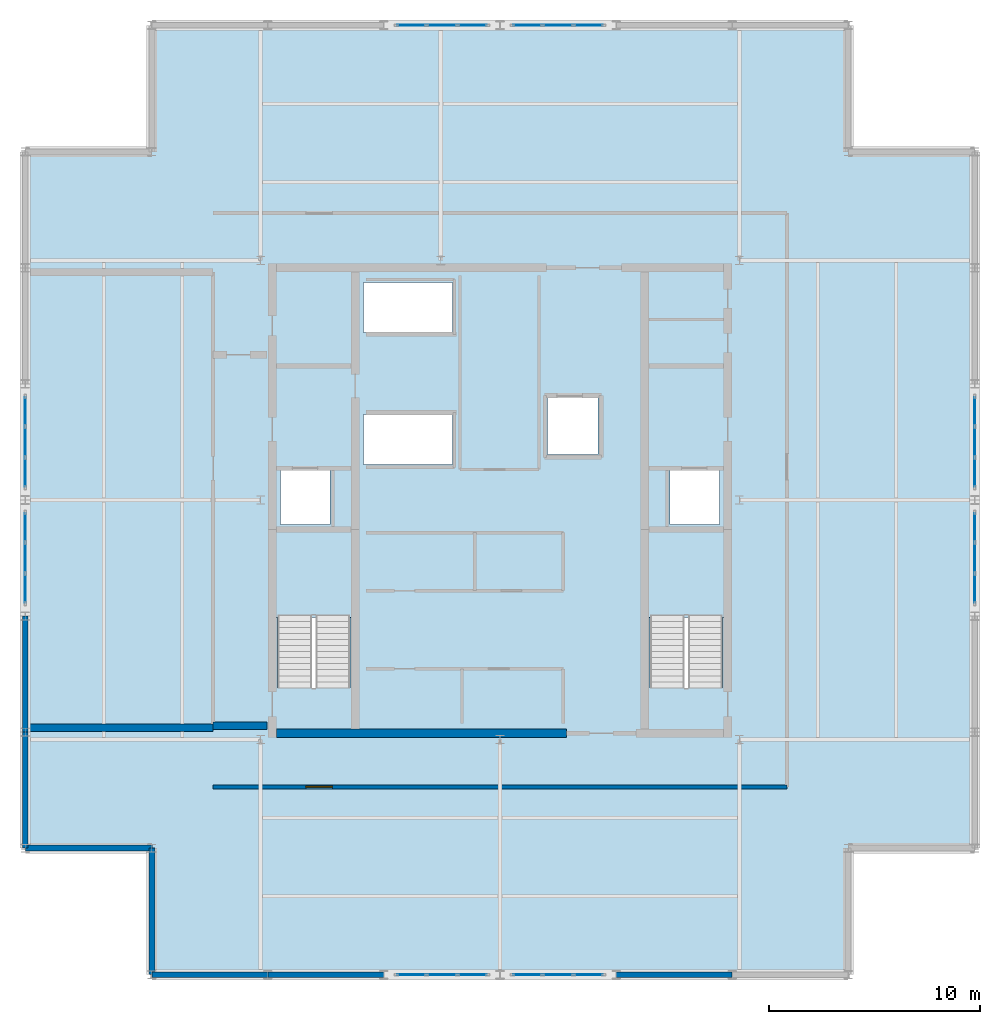
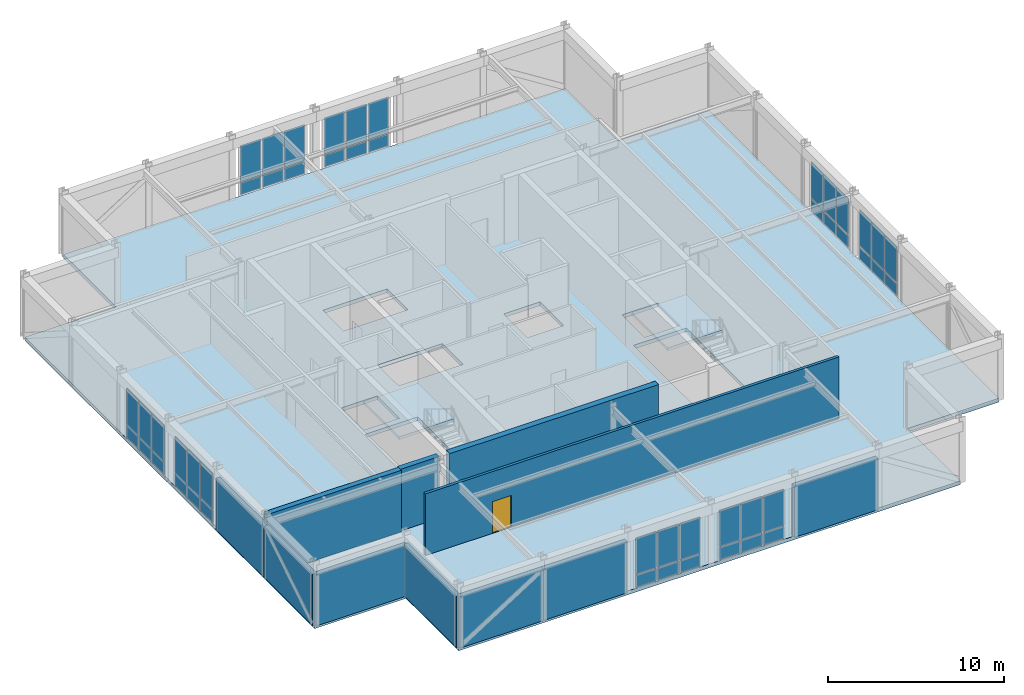
# One storey, part 6 of 9: 48 plates, 11 walls, 3 slabs, 1 door, 1 opening, 10 elements without a shape of their own.
"""IFC4 building model written with IfcOpenShell, lengths in metres."""

import ifcopenshell
import ifcopenshell.guid

model = None  # the IFC model being written
_history = None  # IfcOwnerHistory: only IFC2X3 demands one
_inside = {}  # id of a spatial element -> (the spatial element, [elements in it])
_under = {}  # id of a project, library or spatial element -> (it, [spatial elements below it])
_declared = {}  # id of a project -> (the project, [libraries it declares])
_typed = {}  # id of a type object -> (the type object, [elements of that type])
_made_of = {}  # id of a material, layer set ... -> (it, [elements and type objects made of it])


def new_model(schema):
    """Start an empty IFC model of exactly this schema.

    Asked for "IFC4X3", IfcOpenShell would pick the latest addendum, in which some entities
    have other attributes; the version numbers below select the first issue.
    IFC2X3 requires an IfcOwnerHistory on every rooted entity: one is made here for all.
    """
    global model, _history
    if schema == "IFC4X3":
        model = ifcopenshell.file(schema_version=(4, 3, 0, 0))
    else:
        model = ifcopenshell.file(schema=schema)
    _inside.clear()
    _under.clear()
    _declared.clear()
    _typed.clear()
    _made_of.clear()
    _history = None
    if model.schema == "IFC2X3":
        org = make("IfcOrganization", Name="unknown")
        user = make(
            "IfcPersonAndOrganization",
            ThePerson=make("IfcPerson", FamilyName="unknown"),
            TheOrganization=org,
        )
        app = make(
            "IfcApplication",
            ApplicationDeveloper=org,
            Version="unknown",
            ApplicationFullName="unknown",
            ApplicationIdentifier="unknown",
        )
        _history = make(
            "IfcOwnerHistory",
            OwningUser=user,
            OwningApplication=app,
            ChangeAction="ADDED",
            CreationDate=0,
        )
    return model


def make(cls, **values):
    """One entity of the class cls with the attributes given. An attribute that is None is left unset."""
    return model.create_entity(
        cls, **{name: value for name, value in values.items() if value is not None}
    )


def rooted(cls, **values):
    """An entity with a GlobalId (a new one), such as an element, a storey or a relation."""
    return make(cls, GlobalId=ifcopenshell.guid.new(), OwnerHistory=_history, **values)


def si_unit(unit_type, name, prefix=None):
    """IfcSIUnit, for example si_unit("LENGTHUNIT", "METRE", prefix="MILLI")."""
    return make("IfcSIUnit", UnitType=unit_type, Prefix=prefix, Name=name)


def assignment(units):
    """IfcUnitAssignment: the units of a project."""
    return None if units is None else make("IfcUnitAssignment", Units=units)


def point(xyz):
    """IfcCartesianPoint."""
    return None if xyz is None else make("IfcCartesianPoint", Coordinates=xyz)


def direction(xyz):
    """IfcDirection."""
    return None if xyz is None else make("IfcDirection", DirectionRatios=xyz)


def frame(location, z_axis=None, x_axis=None):
    """IfcAxis2Placement3D, a coordinate frame: its origin and axes. An axis left out is left unset."""
    return make(
        "IfcAxis2Placement3D",
        Location=point(location),
        Axis=direction(z_axis),
        RefDirection=direction(x_axis),
    )


def frame_2d(location, x_axis=None):
    """IfcAxis2Placement2D, a coordinate frame in the plane: its origin and x axis."""
    return make(
        "IfcAxis2Placement2D", Location=point(location), RefDirection=direction(x_axis)
    )


def origin():
    """The frame at (0, 0, 0) with its axes left unset."""
    return frame((0.0, 0.0, 0.0))


def origin_2d():
    """The frame at (0, 0) in the plane with its x axis left unset."""
    return frame_2d((0.0, 0.0))


def place(relative_to, where):
    """IfcLocalPlacement: puts the frame where relative to a parent placement (None: the world)."""
    return make(
        "IfcLocalPlacement", PlacementRelTo=relative_to, RelativePlacement=where
    )


def context(
    kind, dimensions, precision=None, world=None, true_north=None, identifier=None
):
    """IfcGeometricRepresentationContext, for example the 3D "Model" context."""
    return make(
        "IfcGeometricRepresentationContext",
        ContextIdentifier=identifier,
        ContextType=kind,
        CoordinateSpaceDimension=dimensions,
        Precision=precision,
        WorldCoordinateSystem=world,
        TrueNorth=true_north,
    )


def subcontext(parent, identifier, kind, view, scale=None):
    """IfcGeometricRepresentationSubContext, for example "Body" below "Model"."""
    return make(
        "IfcGeometricRepresentationSubContext",
        ContextIdentifier=identifier,
        ContextType=kind,
        ParentContext=parent,
        TargetScale=scale,
        TargetView=view,
    )


def project(units=None, contexts=None):
    """IfcProject with its units and contexts."""
    return rooted(
        "IfcProject",
        Name="project",
        RepresentationContexts=contexts,
        UnitsInContext=assignment(units),
    )


def spatial(cls, under=None, at=None, **own):
    """A site, building, storey or space (cls), placed at a placement, below another one or the project."""
    s = rooted(cls, ObjectPlacement=at, **own)
    if under is not None:
        _under.setdefault(under.id(), (under, []))[1].append(s)
    return s


def polyline(points):
    """IfcPolyline through the points."""
    return make("IfcPolyline", Points=[point(p) for p in points])


def profile(cls, at=None, kind="AREA", **sizes):
    """A parametric profile (cls). Its sizes go by their IFC names, for example OverallWidth=200.0."""
    return make(cls, ProfileType=kind, Position=at, **sizes)


def rectangle(**sizes):
    """IfcRectangleProfileDef."""
    return profile("IfcRectangleProfileDef", **sizes)


def outline(outer, holes=None, kind="AREA"):
    """IfcArbitraryClosedProfileDef: a profile drawn as a closed curve; with holes, ...WithVoids."""
    if holes is None:
        return make("IfcArbitraryClosedProfileDef", ProfileType=kind, OuterCurve=outer)
    return make(
        "IfcArbitraryProfileDefWithVoids",
        ProfileType=kind,
        OuterCurve=outer,
        InnerCurves=holes,
    )


def extrude(swept, where, along, depth):
    """IfcExtrudedAreaSolid: the profile swept, set in the frame where, extruded along a direction by depth."""
    return make(
        "IfcExtrudedAreaSolid",
        SweptArea=swept,
        Position=where,
        ExtrudedDirection=direction(along),
        Depth=depth,
    )


def shape(context_of_items, identifier, shape_type, items):
    """IfcShapeRepresentation: the items that make up one representation, for example the "Body"."""
    return make(
        "IfcShapeRepresentation",
        ContextOfItems=context_of_items,
        RepresentationIdentifier=identifier,
        RepresentationType=shape_type,
        Items=items,
    )


def material(Name=None, Category=None):
    """IfcMaterial."""
    return make("IfcMaterial", Name=Name, Category=Category)


def layer(
    of_material, thickness, ventilated=None, Name=None, Category=None, Priority=None
):
    """IfcMaterialLayer: one layer of a wall or slab, of a material (None: an air gap)."""
    return make(
        "IfcMaterialLayer",
        Material=of_material,
        LayerThickness=thickness,
        IsVentilated=ventilated,
        Name=Name,
        Category=Category,
        Priority=Priority,
    )


def layer_set(layers, Name=None):
    """IfcMaterialLayerSet."""
    return make("IfcMaterialLayerSet", MaterialLayers=layers, LayerSetName=Name)


def made_of(thing, what):
    """Note that an element or type object is made of a material, layer set ...; save() writes the relation."""
    if what is not None:
        _made_of.setdefault(what.id(), (what, []))[1].append(thing)
    return thing


def type_object(cls, material=None, **own):
    """A type object (cls), such as IfcWallType, which elements share."""
    return made_of(rooted(cls, **own), material)


def element(
    cls,
    number,
    at=None,
    inside=None,
    cuts=None,
    type_object=None,
    material=None,
    context=None,
    identifier="Body",
    shape_type=None,
    held_by="IfcProductDefinitionShape",
    body=None,
    shapes=None,
    **own,
):
    """One element of the class cls, such as IfcWall. Its Tag is "e" and its number.

    at: its placement. inside: the storey or other place that contains it. cuts: it is an
    opening in that element (IfcRelVoidsElement). A single representation is given by context,
    identifier, shape_type and body (its items); several are given by shapes. held_by: the class
    of the entity that holds the representations. save() writes the other relations.
    """
    e = rooted(cls, Tag="e%d" % number, ObjectPlacement=at, **own)
    if body is not None:
        shapes = [shape(context, identifier, shape_type, body)]
    if shapes is not None:
        e.Representation = make(held_by, Representations=shapes)
    if inside is not None:
        _inside.setdefault(inside.id(), (inside, []))[1].append(e)
    if cuts is not None:
        rooted(
            "IfcRelVoidsElement", RelatingBuildingElement=cuts, RelatedOpeningElement=e
        )
    if type_object is not None:
        _typed.setdefault(type_object.id(), (type_object, []))[1].append(e)
    return made_of(e, material)


def fill(opening, filler):
    """IfcRelFillsElement: the door or window that sits in an opening."""
    return rooted(
        "IfcRelFillsElement",
        RelatingOpeningElement=opening,
        RelatedBuildingElement=filler,
    )


def aggregate(whole, parts):
    """IfcRelAggregates: a whole, such as a stair, and the parts it consists of."""
    return rooted("IfcRelAggregates", RelatingObject=whole, RelatedObjects=parts)


def save(model, path):
    """Write the relations noted so far, then the file.

    IfcRelAggregates (storeys below a building ...), IfcRelContainedInSpatialStructure (elements
    in a storey), IfcRelDefinesByType, IfcRelAssociatesMaterial and IfcRelDeclares: one each for
    every whole, place, type object, material and project.
    """
    for whole, parts in _under.values():
        aggregate(whole, parts)
    for where, things in _inside.values():
        rooted(
            "IfcRelContainedInSpatialStructure",
            RelatedElements=things,
            RelatingStructure=where,
        )
    for kind, things in _typed.values():
        rooted("IfcRelDefinesByType", RelatedObjects=things, RelatingType=kind)
    for what, things in _made_of.values():
        rooted("IfcRelAssociatesMaterial", RelatedObjects=things, RelatingMaterial=what)
    for by, libraries in _declared.values():
        rooted("IfcRelDeclares", RelatingContext=by, RelatedDefinitions=libraries)
    model.write(path)


model = new_model("IFC4")

# Units and contexts
model_context = context("Model", 3, precision=1e-05, world=origin(), true_north=direction((0.0, 1.0)))
body_context = subcontext(model_context, "Body", "Model", "MODEL_VIEW")
ifc_project = project(units=[si_unit("LENGTHUNIT", "METRE"), si_unit("AREAUNIT", "SQUARE_METRE"), si_unit("VOLUMEUNIT", "CUBIC_METRE"), si_unit("PLANEANGLEUNIT", "RADIAN"), si_unit("MASSUNIT", "GRAM", prefix="KILO")], contexts=[model_context])

# Site, building, storey
site_placement = place(None, origin())
site = spatial("IfcSite", under=ifc_project, at=site_placement, CompositionType="ELEMENT")
building_placement = place(site_placement, origin())
building = spatial("IfcBuilding", under=site, at=building_placement, Name="Nhamokura Convention Tower", CompositionType="ELEMENT")
storey_placement = place(building_placement, frame((0.0, 0.0, 313.25)))
storey = spatial("IfcBuildingStorey", under=building, at=storey_placement, Name="L77", CompositionType="ELEMENT", Elevation=313.25)

# Curtain wall, plates
ifc_material_1 = material(Name="Anodised bronze aluminium AA6063-T6", Category="aluminium")
ifc_layer_1 = layer(ifc_material_1, 0.2099609375)
ifc_layer_set_1 = layer_set([ifc_layer_1], Name="CWSystem_SlantedCrown")
curtain_wall_type = type_object("IfcCurtainWallType", Name="CWSystem_SlantedCrown", PredefinedType="NOTDEFINED", material=ifc_layer_set_1)
curtain_wall_1_placement = place(storey_placement, origin())
curtain_wall_1 = element("IfcCurtainWall", 1, at=curtain_wall_1_placement, inside=storey, type_object=curtain_wall_type, Name="L77 Curtain Wall ENV-L77-CRCW-S2", PredefinedType="NOTDEFINED")
ifc_material_2 = material(Name="Solar-control bronze low-E double glass", Category="glass")
ifc_layer_2 = layer(ifc_material_2, 0.0400390625)
ifc_layer_set_2 = layer_set([ifc_layer_2], Name="CWGlazedPanel_3")
plate_type = type_object("IfcPlateType", Name="CWGlazedPanel_3", PredefinedType="CURTAIN_PANEL", material=ifc_layer_set_2)
plate_1_placement = place(storey_placement, frame((30.69677734375, 9.5, 0.080078125), z_axis=(0.0, 0.0, 1.0), x_axis=(-1.0, 0.0, 0.0)))
plate_1 = element("IfcPlate", 2, at=plate_1_placement, type_object=plate_type, Name="CW-07 panel 1.1", PredefinedType="CURTAIN_PANEL", context=body_context, shape_type="SweptSolid", body=[
    extrude(rectangle(XDim=1.3466796875, YDim=0.0400390625, at=origin_2d()), origin(), (0.0, 0.0, 1.0), 0.830078125),
])
plate_2_placement = place(storey_placement, frame((30.69677734375, 9.5, 0.989990234375), z_axis=(0.0, 0.0, 1.0), x_axis=(-1.0, 0.0, 0.0)))
plate_2 = element("IfcPlate", 3, at=plate_2_placement, type_object=plate_type, Name="CW-07 panel 1.2", PredefinedType="CURTAIN_PANEL", context=body_context, shape_type="SweptSolid", body=[
    extrude(rectangle(XDim=1.3466796875, YDim=0.0400390625, at=origin_2d()), origin(), (0.0, 0.0, 1.0), 2.5),
])
plate_3_placement = place(storey_placement, frame((29.25, 9.5, 0.080078125), z_axis=(0.0, 0.0, 1.0), x_axis=(-1.0, 0.0, 0.0)))
plate_3 = element("IfcPlate", 4, at=plate_3_placement, type_object=plate_type, Name="CW-07 panel 2.1", PredefinedType="CURTAIN_PANEL", context=body_context, shape_type="SweptSolid", body=[
    extrude(rectangle(XDim=1.38671875, YDim=0.0400390625, at=origin_2d()), origin(), (0.0, 0.0, 1.0), 0.830078125),
])
plate_4_placement = place(storey_placement, frame((29.25, 9.5, 0.989990234375), z_axis=(0.0, 0.0, 1.0), x_axis=(-1.0, 0.0, 0.0)))
plate_4 = element("IfcPlate", 5, at=plate_4_placement, type_object=plate_type, Name="CW-07 panel 2.2", PredefinedType="CURTAIN_PANEL", context=body_context, shape_type="SweptSolid", body=[
    extrude(rectangle(XDim=1.38671875, YDim=0.0400390625, at=origin_2d()), origin(), (0.0, 0.0, 1.0), 2.5),
])
plate_5_placement = place(storey_placement, frame((27.80322265625, 9.5, 0.080078125), z_axis=(0.0, 0.0, 1.0), x_axis=(-1.0, 0.0, 0.0)))
plate_5 = element("IfcPlate", 6, at=plate_5_placement, type_object=plate_type, Name="CW-07 panel 3.1", PredefinedType="CURTAIN_PANEL", context=body_context, shape_type="SweptSolid", body=[
    extrude(rectangle(XDim=1.3466796875, YDim=0.0400390625, at=origin_2d()), origin(), (0.0, 0.0, 1.0), 0.830078125),
])
plate_6_placement = place(storey_placement, frame((27.80322265625, 9.5, 0.989990234375), z_axis=(0.0, 0.0, 1.0), x_axis=(-1.0, 0.0, 0.0)))
plate_6 = element("IfcPlate", 7, at=plate_6_placement, type_object=plate_type, Name="CW-07 panel 3.2", PredefinedType="CURTAIN_PANEL", context=body_context, shape_type="SweptSolid", body=[
    extrude(rectangle(XDim=1.3466796875, YDim=0.0400390625, at=origin_2d()), origin(), (0.0, 0.0, 1.0), 2.5),
])
aggregate(curtain_wall_1, [plate_1, plate_2, plate_3, plate_4, plate_5, plate_6])

curtain_wall_2_placement = place(storey_placement, origin())
curtain_wall_2 = element("IfcCurtainWall", 8, at=curtain_wall_2_placement, inside=storey, type_object=curtain_wall_type, Name="L77 Curtain Wall ENV-L77-CRCW-S3", PredefinedType="NOTDEFINED")
plate_7_placement = place(storey_placement, frame((36.19677734375, 9.5, 0.080078125), z_axis=(0.0, 0.0, 1.0), x_axis=(-1.0, 0.0, 0.0)))
plate_7 = element("IfcPlate", 9, at=plate_7_placement, type_object=plate_type, Name="CW-07 panel 1.1", PredefinedType="CURTAIN_PANEL", context=body_context, shape_type="SweptSolid", body=[
    extrude(rectangle(XDim=1.3466796875, YDim=0.0400390625, at=origin_2d()), origin(), (0.0, 0.0, 1.0), 0.830078125),
])
plate_8_placement = place(storey_placement, frame((36.19677734375, 9.5, 0.989990234375), z_axis=(0.0, 0.0, 1.0), x_axis=(-1.0, 0.0, 0.0)))
plate_8 = element("IfcPlate", 10, at=plate_8_placement, type_object=plate_type, Name="CW-07 panel 1.2", PredefinedType="CURTAIN_PANEL", context=body_context, shape_type="SweptSolid", body=[
    extrude(rectangle(XDim=1.3466796875, YDim=0.0400390625, at=origin_2d()), origin(), (0.0, 0.0, 1.0), 2.5),
])
plate_9_placement = place(storey_placement, frame((34.75, 9.5, 0.080078125), z_axis=(0.0, 0.0, 1.0), x_axis=(-1.0, 0.0, 0.0)))
plate_9 = element("IfcPlate", 11, at=plate_9_placement, type_object=plate_type, Name="CW-07 panel 2.1", PredefinedType="CURTAIN_PANEL", context=body_context, shape_type="SweptSolid", body=[
    extrude(rectangle(XDim=1.38671875, YDim=0.0400390625, at=origin_2d()), origin(), (0.0, 0.0, 1.0), 0.830078125),
])
plate_10_placement = place(storey_placement, frame((34.75, 9.5, 0.989990234375), z_axis=(0.0, 0.0, 1.0), x_axis=(-1.0, 0.0, 0.0)))
plate_10 = element("IfcPlate", 12, at=plate_10_placement, type_object=plate_type, Name="CW-07 panel 2.2", PredefinedType="CURTAIN_PANEL", context=body_context, shape_type="SweptSolid", body=[
    extrude(rectangle(XDim=1.38671875, YDim=0.0400390625, at=origin_2d()), origin(), (0.0, 0.0, 1.0), 2.5),
])
plate_11_placement = place(storey_placement, frame((33.30322265625, 9.5, 0.080078125), z_axis=(0.0, 0.0, 1.0), x_axis=(-1.0, 0.0, 0.0)))
plate_11 = element("IfcPlate", 13, at=plate_11_placement, type_object=plate_type, Name="CW-07 panel 3.1", PredefinedType="CURTAIN_PANEL", context=body_context, shape_type="SweptSolid", body=[
    extrude(rectangle(XDim=1.3466796875, YDim=0.0400390625, at=origin_2d()), origin(), (0.0, 0.0, 1.0), 0.830078125),
])
plate_12_placement = place(storey_placement, frame((33.30322265625, 9.5, 0.989990234375), z_axis=(0.0, 0.0, 1.0), x_axis=(-1.0, 0.0, 0.0)))
plate_12 = element("IfcPlate", 14, at=plate_12_placement, type_object=plate_type, Name="CW-07 panel 3.2", PredefinedType="CURTAIN_PANEL", context=body_context, shape_type="SweptSolid", body=[
    extrude(rectangle(XDim=1.3466796875, YDim=0.0400390625, at=origin_2d()), origin(), (0.0, 0.0, 1.0), 2.5),
])
aggregate(curtain_wall_2, [plate_7, plate_8, plate_9, plate_10, plate_11, plate_12])

curtain_wall_3_placement = place(storey_placement, origin())
curtain_wall_3 = element("IfcCurtainWall", 15, at=curtain_wall_3_placement, inside=storey, type_object=curtain_wall_type, Name="L77 Curtain Wall ENV-L77-CRCW-N2", PredefinedType="NOTDEFINED")
plate_13_placement = place(storey_placement, frame((27.80322265625, 54.5, 0.080078125), z_axis=(0.0, 0.0, 1.0), x_axis=(1.0, 0.0, 0.0)))
plate_13 = element("IfcPlate", 16, at=plate_13_placement, type_object=plate_type, Name="CW-07 panel 1.1", PredefinedType="CURTAIN_PANEL", context=body_context, shape_type="SweptSolid", body=[
    extrude(rectangle(XDim=1.3466796875, YDim=0.0400390625, at=origin_2d()), origin(), (0.0, 0.0, 1.0), 0.830078125),
])
plate_14_placement = place(storey_placement, frame((27.80322265625, 54.5, 0.989990234375), z_axis=(0.0, 0.0, 1.0), x_axis=(1.0, 0.0, 0.0)))
plate_14 = element("IfcPlate", 17, at=plate_14_placement, type_object=plate_type, Name="CW-07 panel 1.2", PredefinedType="CURTAIN_PANEL", context=body_context, shape_type="SweptSolid", body=[
    extrude(rectangle(XDim=1.3466796875, YDim=0.0400390625, at=origin_2d()), origin(), (0.0, 0.0, 1.0), 2.5),
])
plate_15_placement = place(storey_placement, frame((29.25, 54.5, 0.080078125), z_axis=(0.0, 0.0, 1.0), x_axis=(1.0, 0.0, 0.0)))
plate_15 = element("IfcPlate", 18, at=plate_15_placement, type_object=plate_type, Name="CW-07 panel 2.1", PredefinedType="CURTAIN_PANEL", context=body_context, shape_type="SweptSolid", body=[
    extrude(rectangle(XDim=1.38671875, YDim=0.0400390625, at=origin_2d()), origin(), (0.0, 0.0, 1.0), 0.830078125),
])
plate_16_placement = place(storey_placement, frame((29.25, 54.5, 0.989990234375), z_axis=(0.0, 0.0, 1.0), x_axis=(1.0, 0.0, 0.0)))
plate_16 = element("IfcPlate", 19, at=plate_16_placement, type_object=plate_type, Name="CW-07 panel 2.2", PredefinedType="CURTAIN_PANEL", context=body_context, shape_type="SweptSolid", body=[
    extrude(rectangle(XDim=1.38671875, YDim=0.0400390625, at=origin_2d()), origin(), (0.0, 0.0, 1.0), 2.5),
])
plate_17_placement = place(storey_placement, frame((30.69677734375, 54.5, 0.080078125), z_axis=(0.0, 0.0, 1.0), x_axis=(1.0, 0.0, 0.0)))
plate_17 = element("IfcPlate", 20, at=plate_17_placement, type_object=plate_type, Name="CW-07 panel 3.1", PredefinedType="CURTAIN_PANEL", context=body_context, shape_type="SweptSolid", body=[
    extrude(rectangle(XDim=1.3466796875, YDim=0.0400390625, at=origin_2d()), origin(), (0.0, 0.0, 1.0), 0.830078125),
])
plate_18_placement = place(storey_placement, frame((30.69677734375, 54.5, 0.989990234375), z_axis=(0.0, 0.0, 1.0), x_axis=(1.0, 0.0, 0.0)))
plate_18 = element("IfcPlate", 21, at=plate_18_placement, type_object=plate_type, Name="CW-07 panel 3.2", PredefinedType="CURTAIN_PANEL", context=body_context, shape_type="SweptSolid", body=[
    extrude(rectangle(XDim=1.3466796875, YDim=0.0400390625, at=origin_2d()), origin(), (0.0, 0.0, 1.0), 2.5),
])
aggregate(curtain_wall_3, [plate_13, plate_14, plate_15, plate_16, plate_17, plate_18])

curtain_wall_4_placement = place(storey_placement, origin())
curtain_wall_4 = element("IfcCurtainWall", 22, at=curtain_wall_4_placement, inside=storey, type_object=curtain_wall_type, Name="L77 Curtain Wall ENV-L77-CRCW-N3", PredefinedType="NOTDEFINED")
plate_19_placement = place(storey_placement, frame((33.30322265625, 54.5, 0.080078125), z_axis=(0.0, 0.0, 1.0), x_axis=(1.0, 0.0, 0.0)))
plate_19 = element("IfcPlate", 23, at=plate_19_placement, type_object=plate_type, Name="CW-07 panel 1.1", PredefinedType="CURTAIN_PANEL", context=body_context, shape_type="SweptSolid", body=[
    extrude(rectangle(XDim=1.3466796875, YDim=0.0400390625, at=origin_2d()), origin(), (0.0, 0.0, 1.0), 0.830078125),
])
plate_20_placement = place(storey_placement, frame((33.30322265625, 54.5, 0.989990234375), z_axis=(0.0, 0.0, 1.0), x_axis=(1.0, 0.0, 0.0)))
plate_20 = element("IfcPlate", 24, at=plate_20_placement, type_object=plate_type, Name="CW-07 panel 1.2", PredefinedType="CURTAIN_PANEL", context=body_context, shape_type="SweptSolid", body=[
    extrude(rectangle(XDim=1.3466796875, YDim=0.0400390625, at=origin_2d()), origin(), (0.0, 0.0, 1.0), 2.5),
])
plate_21_placement = place(storey_placement, frame((34.75, 54.5, 0.080078125), z_axis=(0.0, 0.0, 1.0), x_axis=(1.0, 0.0, 0.0)))
plate_21 = element("IfcPlate", 25, at=plate_21_placement, type_object=plate_type, Name="CW-07 panel 2.1", PredefinedType="CURTAIN_PANEL", context=body_context, shape_type="SweptSolid", body=[
    extrude(rectangle(XDim=1.38671875, YDim=0.0400390625, at=origin_2d()), origin(), (0.0, 0.0, 1.0), 0.830078125),
])
plate_22_placement = place(storey_placement, frame((34.75, 54.5, 0.989990234375), z_axis=(0.0, 0.0, 1.0), x_axis=(1.0, 0.0, 0.0)))
plate_22 = element("IfcPlate", 26, at=plate_22_placement, type_object=plate_type, Name="CW-07 panel 2.2", PredefinedType="CURTAIN_PANEL", context=body_context, shape_type="SweptSolid", body=[
    extrude(rectangle(XDim=1.38671875, YDim=0.0400390625, at=origin_2d()), origin(), (0.0, 0.0, 1.0), 2.5),
])
plate_23_placement = place(storey_placement, frame((36.19677734375, 54.5, 0.080078125), z_axis=(0.0, 0.0, 1.0), x_axis=(1.0, 0.0, 0.0)))
plate_23 = element("IfcPlate", 27, at=plate_23_placement, type_object=plate_type, Name="CW-07 panel 3.1", PredefinedType="CURTAIN_PANEL", context=body_context, shape_type="SweptSolid", body=[
    extrude(rectangle(XDim=1.3466796875, YDim=0.0400390625, at=origin_2d()), origin(), (0.0, 0.0, 1.0), 0.830078125),
])
plate_24_placement = place(storey_placement, frame((36.19677734375, 54.5, 0.989990234375), z_axis=(0.0, 0.0, 1.0), x_axis=(1.0, 0.0, 0.0)))
plate_24 = element("IfcPlate", 28, at=plate_24_placement, type_object=plate_type, Name="CW-07 panel 3.2", PredefinedType="CURTAIN_PANEL", context=body_context, shape_type="SweptSolid", body=[
    extrude(rectangle(XDim=1.3466796875, YDim=0.0400390625, at=origin_2d()), origin(), (0.0, 0.0, 1.0), 2.5),
])
aggregate(curtain_wall_4, [plate_19, plate_20, plate_21, plate_22, plate_23, plate_24])

curtain_wall_5_placement = place(storey_placement, origin())
curtain_wall_5 = element("IfcCurtainWall", 29, at=curtain_wall_5_placement, inside=storey, type_object=curtain_wall_type, Name="L77 Curtain Wall ENV-L77-CRCW-W2", PredefinedType="NOTDEFINED")
plate_25_placement = place(storey_placement, frame((9.5, 27.80322265625, 0.080078125), z_axis=(0.0, 0.0, 1.0), x_axis=(0.0, 1.0, 0.0)))
plate_25 = element("IfcPlate", 30, at=plate_25_placement, type_object=plate_type, Name="CW-07 panel 1.1", PredefinedType="CURTAIN_PANEL", context=body_context, shape_type="SweptSolid", body=[
    extrude(rectangle(XDim=1.3466796875, YDim=0.0400390625, at=origin_2d()), origin(), (0.0, 0.0, 1.0), 0.830078125),
])
plate_26_placement = place(storey_placement, frame((9.5, 27.80322265625, 0.989990234375), z_axis=(0.0, 0.0, 1.0), x_axis=(0.0, 1.0, 0.0)))
plate_26 = element("IfcPlate", 31, at=plate_26_placement, type_object=plate_type, Name="CW-07 panel 1.2", PredefinedType="CURTAIN_PANEL", context=body_context, shape_type="SweptSolid", body=[
    extrude(rectangle(XDim=1.3466796875, YDim=0.0400390625, at=origin_2d()), origin(), (0.0, 0.0, 1.0), 2.5),
])
plate_27_placement = place(storey_placement, frame((9.5, 29.25, 0.080078125), z_axis=(0.0, 0.0, 1.0), x_axis=(0.0, 1.0, 0.0)))
plate_27 = element("IfcPlate", 32, at=plate_27_placement, type_object=plate_type, Name="CW-07 panel 2.1", PredefinedType="CURTAIN_PANEL", context=body_context, shape_type="SweptSolid", body=[
    extrude(rectangle(XDim=1.38671875, YDim=0.0400390625, at=origin_2d()), origin(), (0.0, 0.0, 1.0), 0.830078125),
])
plate_28_placement = place(storey_placement, frame((9.5, 29.25, 0.989990234375), z_axis=(0.0, 0.0, 1.0), x_axis=(0.0, 1.0, 0.0)))
plate_28 = element("IfcPlate", 33, at=plate_28_placement, type_object=plate_type, Name="CW-07 panel 2.2", PredefinedType="CURTAIN_PANEL", context=body_context, shape_type="SweptSolid", body=[
    extrude(rectangle(XDim=1.38671875, YDim=0.0400390625, at=origin_2d()), origin(), (0.0, 0.0, 1.0), 2.5),
])
plate_29_placement = place(storey_placement, frame((9.5, 30.69677734375, 0.080078125), z_axis=(0.0, 0.0, 1.0), x_axis=(0.0, 1.0, 0.0)))
plate_29 = element("IfcPlate", 34, at=plate_29_placement, type_object=plate_type, Name="CW-07 panel 3.1", PredefinedType="CURTAIN_PANEL", context=body_context, shape_type="SweptSolid", body=[
    extrude(rectangle(XDim=1.3466796875, YDim=0.0400390625, at=origin_2d()), origin(), (0.0, 0.0, 1.0), 0.830078125),
])
plate_30_placement = place(storey_placement, frame((9.5, 30.69677734375, 0.989990234375), z_axis=(0.0, 0.0, 1.0), x_axis=(0.0, 1.0, 0.0)))
plate_30 = element("IfcPlate", 35, at=plate_30_placement, type_object=plate_type, Name="CW-07 panel 3.2", PredefinedType="CURTAIN_PANEL", context=body_context, shape_type="SweptSolid", body=[
    extrude(rectangle(XDim=1.3466796875, YDim=0.0400390625, at=origin_2d()), origin(), (0.0, 0.0, 1.0), 2.5),
])
aggregate(curtain_wall_5, [plate_25, plate_26, plate_27, plate_28, plate_29, plate_30])

curtain_wall_6_placement = place(storey_placement, origin())
curtain_wall_6 = element("IfcCurtainWall", 36, at=curtain_wall_6_placement, inside=storey, type_object=curtain_wall_type, Name="L77 Curtain Wall ENV-L77-CRCW-W3", PredefinedType="NOTDEFINED")
plate_31_placement = place(storey_placement, frame((9.5, 33.30322265625, 0.080078125), z_axis=(0.0, 0.0, 1.0), x_axis=(0.0, 1.0, 0.0)))
plate_31 = element("IfcPlate", 37, at=plate_31_placement, type_object=plate_type, Name="CW-07 panel 1.1", PredefinedType="CURTAIN_PANEL", context=body_context, shape_type="SweptSolid", body=[
    extrude(rectangle(XDim=1.3466796875, YDim=0.0400390625, at=origin_2d()), origin(), (0.0, 0.0, 1.0), 0.830078125),
])
plate_32_placement = place(storey_placement, frame((9.5, 33.30322265625, 0.989990234375), z_axis=(0.0, 0.0, 1.0), x_axis=(0.0, 1.0, 0.0)))
plate_32 = element("IfcPlate", 38, at=plate_32_placement, type_object=plate_type, Name="CW-07 panel 1.2", PredefinedType="CURTAIN_PANEL", context=body_context, shape_type="SweptSolid", body=[
    extrude(rectangle(XDim=1.3466796875, YDim=0.0400390625, at=origin_2d()), origin(), (0.0, 0.0, 1.0), 2.5),
])
plate_33_placement = place(storey_placement, frame((9.5, 34.75, 0.080078125), z_axis=(0.0, 0.0, 1.0), x_axis=(0.0, 1.0, 0.0)))
plate_33 = element("IfcPlate", 39, at=plate_33_placement, type_object=plate_type, Name="CW-07 panel 2.1", PredefinedType="CURTAIN_PANEL", context=body_context, shape_type="SweptSolid", body=[
    extrude(rectangle(XDim=1.38671875, YDim=0.0400390625, at=origin_2d()), origin(), (0.0, 0.0, 1.0), 0.830078125),
])
plate_34_placement = place(storey_placement, frame((9.5, 34.75, 0.989990234375), z_axis=(0.0, 0.0, 1.0), x_axis=(0.0, 1.0, 0.0)))
plate_34 = element("IfcPlate", 40, at=plate_34_placement, type_object=plate_type, Name="CW-07 panel 2.2", PredefinedType="CURTAIN_PANEL", context=body_context, shape_type="SweptSolid", body=[
    extrude(rectangle(XDim=1.38671875, YDim=0.0400390625, at=origin_2d()), origin(), (0.0, 0.0, 1.0), 2.5),
])
plate_35_placement = place(storey_placement, frame((9.5, 36.19677734375, 0.080078125), z_axis=(0.0, 0.0, 1.0), x_axis=(0.0, 1.0, 0.0)))
plate_35 = element("IfcPlate", 41, at=plate_35_placement, type_object=plate_type, Name="CW-07 panel 3.1", PredefinedType="CURTAIN_PANEL", context=body_context, shape_type="SweptSolid", body=[
    extrude(rectangle(XDim=1.3466796875, YDim=0.0400390625, at=origin_2d()), origin(), (0.0, 0.0, 1.0), 0.830078125),
])
plate_36_placement = place(storey_placement, frame((9.5, 36.19677734375, 0.989990234375), z_axis=(0.0, 0.0, 1.0), x_axis=(0.0, 1.0, 0.0)))
plate_36 = element("IfcPlate", 42, at=plate_36_placement, type_object=plate_type, Name="CW-07 panel 3.2", PredefinedType="CURTAIN_PANEL", context=body_context, shape_type="SweptSolid", body=[
    extrude(rectangle(XDim=1.3466796875, YDim=0.0400390625, at=origin_2d()), origin(), (0.0, 0.0, 1.0), 2.5),
])
aggregate(curtain_wall_6, [plate_31, plate_32, plate_33, plate_34, plate_35, plate_36])

curtain_wall_7_placement = place(storey_placement, origin())
curtain_wall_7 = element("IfcCurtainWall", 43, at=curtain_wall_7_placement, inside=storey, type_object=curtain_wall_type, Name="L77 Curtain Wall ENV-L77-CRCW-E2", PredefinedType="NOTDEFINED")
plate_37_placement = place(storey_placement, frame((54.5, 30.69677734375, 0.080078125), z_axis=(0.0, 0.0, 1.0), x_axis=(0.0, -1.0, 0.0)))
plate_37 = element("IfcPlate", 44, at=plate_37_placement, type_object=plate_type, Name="CW-07 panel 1.1", PredefinedType="CURTAIN_PANEL", context=body_context, shape_type="SweptSolid", body=[
    extrude(rectangle(XDim=1.3466796875, YDim=0.0400390625, at=origin_2d()), origin(), (0.0, 0.0, 1.0), 0.830078125),
])
plate_38_placement = place(storey_placement, frame((54.5, 30.69677734375, 0.989990234375), z_axis=(0.0, 0.0, 1.0), x_axis=(0.0, -1.0, 0.0)))
plate_38 = element("IfcPlate", 45, at=plate_38_placement, type_object=plate_type, Name="CW-07 panel 1.2", PredefinedType="CURTAIN_PANEL", context=body_context, shape_type="SweptSolid", body=[
    extrude(rectangle(XDim=1.3466796875, YDim=0.0400390625, at=origin_2d()), origin(), (0.0, 0.0, 1.0), 2.5),
])
plate_39_placement = place(storey_placement, frame((54.5, 29.25, 0.080078125), z_axis=(0.0, 0.0, 1.0), x_axis=(0.0, -1.0, 0.0)))
plate_39 = element("IfcPlate", 46, at=plate_39_placement, type_object=plate_type, Name="CW-07 panel 2.1", PredefinedType="CURTAIN_PANEL", context=body_context, shape_type="SweptSolid", body=[
    extrude(rectangle(XDim=1.38671875, YDim=0.0400390625, at=origin_2d()), origin(), (0.0, 0.0, 1.0), 0.830078125),
])
plate_40_placement = place(storey_placement, frame((54.5, 29.25, 0.989990234375), z_axis=(0.0, 0.0, 1.0), x_axis=(0.0, -1.0, 0.0)))
plate_40 = element("IfcPlate", 47, at=plate_40_placement, type_object=plate_type, Name="CW-07 panel 2.2", PredefinedType="CURTAIN_PANEL", context=body_context, shape_type="SweptSolid", body=[
    extrude(rectangle(XDim=1.38671875, YDim=0.0400390625, at=origin_2d()), origin(), (0.0, 0.0, 1.0), 2.5),
])
plate_41_placement = place(storey_placement, frame((54.5, 27.80322265625, 0.080078125), z_axis=(0.0, 0.0, 1.0), x_axis=(0.0, -1.0, 0.0)))
plate_41 = element("IfcPlate", 48, at=plate_41_placement, type_object=plate_type, Name="CW-07 panel 3.1", PredefinedType="CURTAIN_PANEL", context=body_context, shape_type="SweptSolid", body=[
    extrude(rectangle(XDim=1.3466796875, YDim=0.0400390625, at=origin_2d()), origin(), (0.0, 0.0, 1.0), 0.830078125),
])
plate_42_placement = place(storey_placement, frame((54.5, 27.80322265625, 0.989990234375), z_axis=(0.0, 0.0, 1.0), x_axis=(0.0, -1.0, 0.0)))
plate_42 = element("IfcPlate", 49, at=plate_42_placement, type_object=plate_type, Name="CW-07 panel 3.2", PredefinedType="CURTAIN_PANEL", context=body_context, shape_type="SweptSolid", body=[
    extrude(rectangle(XDim=1.3466796875, YDim=0.0400390625, at=origin_2d()), origin(), (0.0, 0.0, 1.0), 2.5),
])
aggregate(curtain_wall_7, [plate_37, plate_38, plate_39, plate_40, plate_41, plate_42])

curtain_wall_8_placement = place(storey_placement, origin())
curtain_wall_8 = element("IfcCurtainWall", 50, at=curtain_wall_8_placement, inside=storey, type_object=curtain_wall_type, Name="L77 Curtain Wall ENV-L77-CRCW-E3", PredefinedType="NOTDEFINED")
plate_43_placement = place(storey_placement, frame((54.5, 36.19677734375, 0.080078125), z_axis=(0.0, 0.0, 1.0), x_axis=(0.0, -1.0, 0.0)))
plate_43 = element("IfcPlate", 51, at=plate_43_placement, type_object=plate_type, Name="CW-07 panel 1.1", PredefinedType="CURTAIN_PANEL", context=body_context, shape_type="SweptSolid", body=[
    extrude(rectangle(XDim=1.3466796875, YDim=0.0400390625, at=origin_2d()), origin(), (0.0, 0.0, 1.0), 0.830078125),
])
plate_44_placement = place(storey_placement, frame((54.5, 36.19677734375, 0.989990234375), z_axis=(0.0, 0.0, 1.0), x_axis=(0.0, -1.0, 0.0)))
plate_44 = element("IfcPlate", 52, at=plate_44_placement, type_object=plate_type, Name="CW-07 panel 1.2", PredefinedType="CURTAIN_PANEL", context=body_context, shape_type="SweptSolid", body=[
    extrude(rectangle(XDim=1.3466796875, YDim=0.0400390625, at=origin_2d()), origin(), (0.0, 0.0, 1.0), 2.5),
])
plate_45_placement = place(storey_placement, frame((54.5, 34.75, 0.080078125), z_axis=(0.0, 0.0, 1.0), x_axis=(0.0, -1.0, 0.0)))
plate_45 = element("IfcPlate", 53, at=plate_45_placement, type_object=plate_type, Name="CW-07 panel 2.1", PredefinedType="CURTAIN_PANEL", context=body_context, shape_type="SweptSolid", body=[
    extrude(rectangle(XDim=1.38671875, YDim=0.0400390625, at=origin_2d()), origin(), (0.0, 0.0, 1.0), 0.830078125),
])
plate_46_placement = place(storey_placement, frame((54.5, 34.75, 0.989990234375), z_axis=(0.0, 0.0, 1.0), x_axis=(0.0, -1.0, 0.0)))
plate_46 = element("IfcPlate", 54, at=plate_46_placement, type_object=plate_type, Name="CW-07 panel 2.2", PredefinedType="CURTAIN_PANEL", context=body_context, shape_type="SweptSolid", body=[
    extrude(rectangle(XDim=1.38671875, YDim=0.0400390625, at=origin_2d()), origin(), (0.0, 0.0, 1.0), 2.5),
])
plate_47_placement = place(storey_placement, frame((54.5, 33.30322265625, 0.080078125), z_axis=(0.0, 0.0, 1.0), x_axis=(0.0, -1.0, 0.0)))
plate_47 = element("IfcPlate", 55, at=plate_47_placement, type_object=plate_type, Name="CW-07 panel 3.1", PredefinedType="CURTAIN_PANEL", context=body_context, shape_type="SweptSolid", body=[
    extrude(rectangle(XDim=1.3466796875, YDim=0.0400390625, at=origin_2d()), origin(), (0.0, 0.0, 1.0), 0.830078125),
])
plate_48_placement = place(storey_placement, frame((54.5, 33.30322265625, 0.989990234375), z_axis=(0.0, 0.0, 1.0), x_axis=(0.0, -1.0, 0.0)))
plate_48 = element("IfcPlate", 56, at=plate_48_placement, type_object=plate_type, Name="CW-07 panel 3.2", PredefinedType="CURTAIN_PANEL", context=body_context, shape_type="SweptSolid", body=[
    extrude(rectangle(XDim=1.3466796875, YDim=0.0400390625, at=origin_2d()), origin(), (0.0, 0.0, 1.0), 2.5),
])
aggregate(curtain_wall_8, [plate_43, plate_44, plate_45, plate_46, plate_47, plate_48])

# Slab
ifc_material_3 = material(Name="Concrete C40/50", Category="concrete")
ifc_layer_3 = layer(ifc_material_3, 0.260009765625)
ifc_layer_set_3 = layer_set([ifc_layer_3], Name="RefugePlantSlab_260")
slab_type_1 = type_object("IfcSlabType", Name="RefugePlantSlab_260", PredefinedType="FLOOR", material=ifc_layer_set_3)
slab_1_placement = place(storey_placement, frame((0.0, 0.0, -0.260009765625)))
element("IfcSlab", 57, at=slab_1_placement, inside=storey, type_object=slab_type_1, Name="L77 Structural Floor Slab", PredefinedType="FLOOR", context=body_context, shape_type="SweptSolid", body=[
    extrude(outline(polyline([(15.5, 9.5), (48.5, 9.5), (48.5, 15.5), (54.5, 15.5), (54.5, 48.5), (48.5, 48.5), (48.5, 54.5), (15.5, 54.5), (15.5, 48.5), (9.5, 48.5), (9.5, 15.5), (15.5, 15.5), (15.5, 9.5)]), holes=[polyline([(24.89990234375, 23.10009765625), (24.89990234375, 30.449951171875), (21.449951171875, 30.449951171875), (21.449951171875, 23.10009765625), (24.89990234375, 23.10009765625)]), polyline([(42.550048828125, 23.10009765625), (42.550048828125, 30.449951171875), (39.10009765625, 30.449951171875), (39.10009765625, 23.10009765625), (42.550048828125, 23.10009765625)]), polyline([(21.60009765625, 30.85009765625), (23.949951171875, 30.85009765625), (23.949951171875, 33.39990234375), (21.60009765625, 33.39990234375), (21.60009765625, 30.85009765625)]), polyline([(40.050048828125, 30.85009765625), (42.39990234375, 30.85009765625), (42.39990234375, 33.39990234375), (40.050048828125, 33.39990234375), (40.050048828125, 30.85009765625)]), polyline([(34.25, 34.14990234375), (36.64990234375, 34.14990234375), (36.64990234375, 36.85009765625), (34.25, 36.85009765625), (34.25, 34.14990234375)]), polyline([(25.52001953125, 33.679931640625), (29.75, 33.679931640625), (29.75, 36.050048828125), (25.52001953125, 36.050048828125), (25.52001953125, 33.679931640625)]), polyline([(25.52001953125, 39.949951171875), (29.75, 39.949951171875), (29.75, 42.320068359375), (25.52001953125, 42.320068359375), (25.52001953125, 39.949951171875)])]), origin(), (0.0, 0.0, 1.0), 0.260009765625),
])

# Stair, slab
ifc_material_4 = material(Name="Concrete C40/50", Category="concrete")
stair_type = type_object("IfcStairType", Name="TowerCoreStair_1650", PredefinedType="HALF_TURN_STAIR", material=ifc_material_4)
stair_1_placement = place(storey_placement, origin())
stair_1 = element("IfcStair", 58, at=stair_1_placement, inside=storey, type_object=stair_type, Name="L77 West Core Smokeproof Stair ST-01", PredefinedType="HALF_TURN_STAIR")
ifc_material_5 = material(Name="Concrete C40/50", Category="concrete")
ifc_layer_4 = layer(ifc_material_5, 0.199951171875)
ifc_layer_set_4 = layer_set([ifc_layer_4], Name="StairLandingSlab_200")
slab_type_2 = type_object("IfcSlabType", Name="StairLandingSlab_200", PredefinedType="LANDING", material=ifc_layer_set_4)
slab_2_placement = place(storey_placement, frame((0.0, 0.0, 2.074951171875)))
slab_2 = element("IfcSlab", 59, at=slab_2_placement, type_object=slab_type_2, Name="ST-01 landing 1", PredefinedType="LANDING", context=body_context, shape_type="SweptSolid", body=[
    extrude(outline(polyline([(24.97998046875, 26.43994140625), (24.97998046875, 30.530029296875), (21.3701171875, 30.530029296875), (21.3701171875, 26.43994140625), (24.97998046875, 26.43994140625)])), origin(), (0.0, 0.0, 1.0), 0.199951171875),
])
aggregate(stair_1, [slab_2])

stair_2_placement = place(storey_placement, origin())
stair_2 = element("IfcStair", 60, at=stair_2_placement, inside=storey, type_object=stair_type, Name="L77 East Core Smokeproof Stair ST-02", PredefinedType="HALF_TURN_STAIR")
slab_3_placement = place(storey_placement, frame((0.0, 0.0, 2.074951171875)))
slab_3 = element("IfcSlab", 61, at=slab_3_placement, type_object=slab_type_2, Name="ST-02 landing 1", PredefinedType="LANDING", context=body_context, shape_type="SweptSolid", body=[
    extrude(outline(polyline([(42.6298828125, 26.43994140625), (42.6298828125, 30.530029296875), (39.02001953125, 30.530029296875), (39.02001953125, 26.43994140625), (42.6298828125, 26.43994140625)])), origin(), (0.0, 0.0, 1.0), 0.199951171875),
])
aggregate(stair_2, [slab_3])

# Walls
ifc_material_6 = material(Name="Bronze-pigmented precast concrete C45/55", Category="concrete")
ifc_layer_5 = layer(ifc_material_6, 0.280029296875)
ifc_layer_set_5 = layer_set([ifc_layer_5], Name="BronzePrecastSpandrel_280")
wall_type_1 = type_object("IfcWallType", Name="BronzePrecastSpandrel_280", PredefinedType="USERDEFINED", material=ifc_layer_set_5)
for number, where, z_axis, x_axis, name in (
    (62, (21.0, 9.5, 0.0), (0.0, 0.0, 1.0), (-1.0, 0.0, 0.0), "L77 Crown Wall SOUTH 0"),
    (63, (26.5, 9.5, 0.0), (0.0, 0.0, 1.0), (-1.0, 0.0, 0.0), "L77 Crown Wall SOUTH 1"),
    (64, (43.0, 9.5, 0.0), (0.0, 0.0, 1.0), (-1.0, 0.0, 0.0), "L77 Crown Wall SOUTH 4"),
    (65, (9.5, 15.5, 0.0), (0.0, 0.0, 1.0), (0.0, 1.0, 0.0), "L77 Crown Wall WEST 0"),
    (66, (9.5, 21.0, 0.0), (0.0, 0.0, 1.0), (0.0, 1.0, 0.0), "L77 Crown Wall WEST 1"),
):
    element("IfcWall", number, at=place(storey_placement, frame(where, z_axis=z_axis, x_axis=x_axis)), inside=storey, type_object=wall_type_1, Name=name, ObjectType="SPANDREL_WALL", PredefinedType="USERDEFINED", context=body_context, shape_type="SweptSolid", body=[
        extrude(rectangle(XDim=5.5, YDim=0.280029296875, at=frame_2d((2.75, 0.0))), origin(), (0.0, 0.0, 1.0), 3.570068359375),
    ])
for number, where, z_axis, x_axis, name in (
    (67, (15.5, 9.5, 0.0), (0.0, 0.0, 1.0), (0.0, 1.0, 0.0), "L77 Crown Notch Wall SW1"),
    (68, (15.5, 15.5, 0.0), (0.0, 0.0, 1.0), (-1.0, 0.0, 0.0), "L77 Crown Notch Wall SW2"),
):
    element("IfcWall", number, at=place(storey_placement, frame(where, z_axis=z_axis, x_axis=x_axis)), inside=storey, type_object=wall_type_1, Name=name, ObjectType="SPANDREL_WALL", PredefinedType="USERDEFINED", context=body_context, shape_type="SweptSolid", body=[
        extrude(rectangle(XDim=6.0, YDim=0.280029296875, at=frame_2d((3.0, 0.0))), origin(), (0.0, 0.0, 1.0), 3.570068359375),
    ])
ifc_material_7 = material(Name="Concrete C50/60", Category="concrete")
ifc_layer_6 = layer(ifc_material_7, 0.39990234375)
ifc_layer_set_6 = layer_set([ifc_layer_6], Name="CoreShearWall_400")
wall_type_2 = type_object("IfcWallType", Name="CoreShearWall_400", PredefinedType="SHEAR", material=ifc_layer_set_6)
wall_1_placement = place(storey_placement, frame((21.409912109375, 20.949951171875, 0.0), z_axis=(0.0, 0.0, 1.0), x_axis=(1.0, 0.0, 0.0)))
element("IfcWall", 69, at=wall_1_placement, inside=storey, type_object=wall_type_2, Name="L77 Core Shear Wall CW-S1", PredefinedType="SHEAR", context=body_context, shape_type="SweptSolid", body=[
    extrude(rectangle(XDim=13.739990234375, YDim=0.39990234375, at=frame_2d((6.8701171875, 0.0))), origin(), (0.0, 0.0, 1.0), 4.550048828125),
])

# Wall, opening, door
ifc_material_8 = material(Name="Fire-rated gypsum and masonry partition", Category="masonry")
ifc_layer_7 = layer(ifc_material_8, 0.179931640625)
ifc_layer_set_7 = layer_set([ifc_layer_7], Name="CorridorRatedWall_180")
wall_type_3 = type_object("IfcWallType", Name="CorridorRatedWall_180", PredefinedType="STANDARD", material=ifc_layer_set_7)
wall_2_placement = place(storey_placement, frame((18.39990234375, 18.39990234375, 0.0), z_axis=(0.0, 0.0, 1.0), x_axis=(1.0, 0.0, 0.0)))
wall_2 = element("IfcWall", 70, at=wall_2_placement, inside=storey, type_object=wall_type_3, Name="L77 Wall INT-L77-CW-S00", PredefinedType="STANDARD", context=body_context, shape_type="SweptSolid", body=[
    extrude(rectangle(XDim=27.2001953125, YDim=0.179931640625, at=frame_2d((13.60009765625, 0.0))), origin(), (0.0, 0.0, 1.0), 4.2900390625),
])
opening_placement = place(wall_2_placement, frame((4.39990234375, 0.0, 0.0)))
opening = element("IfcOpeningElement", 71, at=opening_placement, cuts=wall_2, Name="Opening D-12", PredefinedType="OPENING", context=body_context, shape_type="SweptSolid", body=[
    extrude(rectangle(XDim=1.25, YDim=2.199951171875, at=frame_2d((0.625, 1.10009765625))), frame((0.0, 0.099853515625, 0.0), z_axis=(0.0, -1.0, 0.0), x_axis=(1.0, 0.0, 0.0)), (0.0, 0.0, 1.0), 0.199951171875),
])
ifc_material_9 = material(Name="Fire-rated steel door", Category="steel")
door_type = type_object("IfcDoorType", Name="PlantServiceDoor_1250", OperationType="NOTDEFINED", PredefinedType="DOOR", material=ifc_material_9)
door_placement = place(opening_placement, origin())
door = element("IfcDoor", 72, at=door_placement, inside=storey, type_object=door_type, Name="L77 Smoke Pressurisation Plant S01 Door", OperationType="SINGLE_SWING_LEFT", OverallHeight=2.199951171875, OverallWidth=1.25, PredefinedType="DOOR", context=body_context, shape_type="SweptSolid", body=[
    extrude(rectangle(XDim=1.25, YDim=2.199951171875, at=frame_2d((0.625, 1.10009765625))), frame((0.0, 0.02490234375, 0.0), z_axis=(0.0, -1.0, 0.0), x_axis=(1.0, 0.0, 0.0)), (0.0, 0.0, 1.0), 0.050048828125),
])
fill(opening, door)

# Walls
ifc_material_10 = material(Name="Concrete C50/60", Category="concrete")
ifc_layer_8 = layer(ifc_material_10, 0.35009765625)
ifc_layer_set_8 = layer_set([ifc_layer_8], Name="FirewallPlant_350")
wall_type_4 = type_object("IfcWallType", Name="FirewallPlant_350", PredefinedType="STANDARD", material=ifc_layer_set_8)
wall_3_placement = place(storey_placement, frame((18.39990234375, 21.300048828125, 0.0), z_axis=(0.0, 0.0, 1.0), x_axis=(1.0, 0.0, 0.0)))
element("IfcWall", 73, at=wall_3_placement, inside=storey, type_object=wall_type_4, Name="L77 Wall INT-L77-RLOB-S", PredefinedType="STANDARD", context=body_context, shape_type="SweptSolid", body=[
    extrude(rectangle(XDim=2.550048828125, YDim=0.35009765625, at=frame_2d((1.27490234375, 0.0))), origin(), (0.0, 0.0, 1.0), 4.2900390625),
])
wall_4_placement = place(storey_placement, frame((9.56005859375, 21.199951171875, 0.0), z_axis=(0.0, 0.0, 1.0), x_axis=(1.0, 0.0, 0.0)))
element("IfcWall", 74, at=wall_4_placement, inside=storey, type_object=wall_type_4, Name="L77 Wall INT-L77-RWB-W", PredefinedType="STANDARD", context=body_context, shape_type="SweptSolid", body=[
    extrude(rectangle(XDim=8.83984375, YDim=0.35009765625, at=frame_2d((4.419921875, 0.0))), origin(), (0.0, 0.0, 1.0), 4.2900390625),
])

save(model, "model.ifc")
